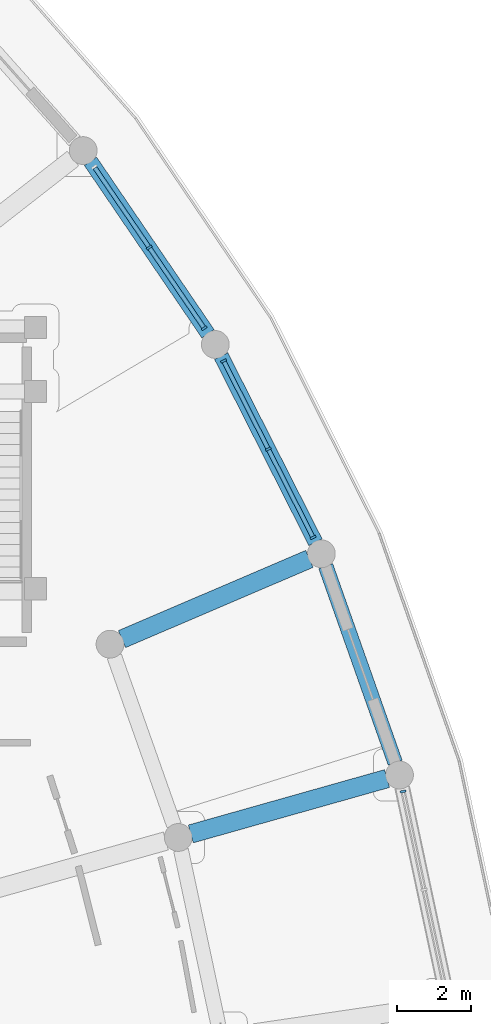
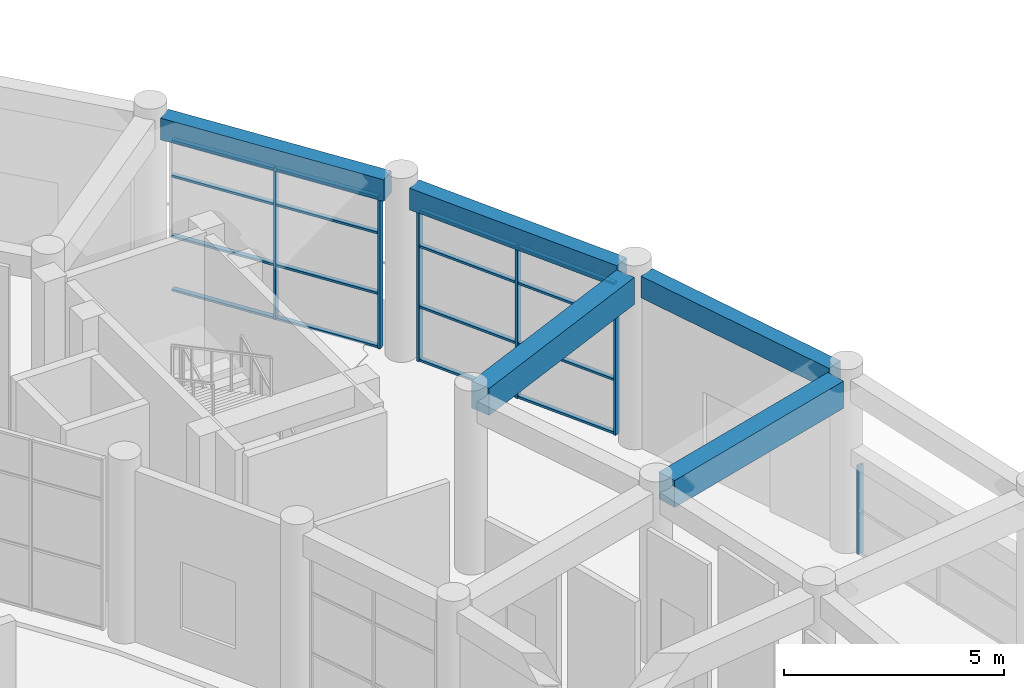
# One storey, part 49 of 99: 22 members, 5 beams, 3 elements without a shape of their own.
"""IFC4 building model written with IfcOpenShell, lengths in metres."""

from ifc_helpers import new_model, si_unit, direction, frame, origin, origin_2d, place, context, subcontext, project, spatial, rectangle, extrude, material, material_profile, profile_set, type_object, element, aggregate, save


model = new_model("IFC4")

# Units and contexts
model_context = context("Model", 3, precision=1e-05, world=origin(), true_north=direction((0.0, 1.0)))
body_context = subcontext(model_context, "Body", "Model", "MODEL_VIEW")
ifc_project = project(units=[si_unit("LENGTHUNIT", "METRE"), si_unit("AREAUNIT", "SQUARE_METRE"), si_unit("VOLUMEUNIT", "CUBIC_METRE"), si_unit("PLANEANGLEUNIT", "RADIAN"), si_unit("MASSUNIT", "GRAM", prefix="KILO")], contexts=[model_context])

# Site, building, storey
site_placement = place(None, origin())
site = spatial("IfcSite", under=ifc_project, at=site_placement, CompositionType="ELEMENT")
building_placement = place(site_placement, origin())
building = spatial("IfcBuilding", under=site, at=building_placement, Name="Saryqyr Civic Hall", CompositionType="ELEMENT")
storey_placement = place(building_placement, origin())
storey = spatial("IfcBuildingStorey", under=building, at=storey_placement, Name="L00", CompositionType="ELEMENT", Elevation=0.0)

# Curtain wall, member
ifc_material_1 = material(Name="Anodised aluminium and triple low-E glass", Category="aluminium")
curtain_wall_type_1 = type_object("IfcCurtainWallType", Name="ENV-CW-STD-38", PredefinedType="NOTDEFINED", material=ifc_material_1)
curtain_wall_1_placement = place(storey_placement, origin())
curtain_wall_1 = element("IfcCurtainWall", 1, at=curtain_wall_1_placement, inside=storey, type_object=curtain_wall_type_1, Name="Curtain wall V6-CWO-L00-01", PredefinedType="NOTDEFINED")
ifc_material_2 = material(Name="Anodised aluminium", Category="aluminium")
ifc_material_profile_1 = material_profile(ifc_material_2, rectangle(XDim=0.06005859375, YDim=0.159912109375, at=origin_2d()), Name="ALU MULLION 60x160")
ifc_profile_set_1 = profile_set([ifc_material_profile_1], Name="Anodised aluminium")
member_type_1 = type_object("IfcMemberType", Name="ENV-CW-MUL-180", PredefinedType="MULLION", material=ifc_profile_set_1)
member_1_placement = place(storey_placement, frame((104.2529296875, 96.864501953125, 0.0), z_axis=(0.0, 0.0, 1.0), x_axis=(0.208915877242, -0.977933615455, 0.0)))
member_1 = element("IfcMember", 2, at=member_1_placement, type_object=member_type_1, Name="CW-38 mullion 1", PredefinedType="MULLION", context=body_context, shape_type="SweptSolid", body=[
    extrude(rectangle(XDim=0.06005859375, YDim=0.159912109375, at=origin_2d()), origin(), (0.0, 0.0, 1.0), 2.449951171875),
])
aggregate(curtain_wall_1, [member_1])

# Curtain wall, members
curtain_wall_type_2 = type_object("IfcCurtainWallType", Name="ENV-CW-STD-35", PredefinedType="NOTDEFINED", material=ifc_material_1)
curtain_wall_2_placement = place(storey_placement, origin())
curtain_wall_2 = element("IfcCurtainWall", 3, at=curtain_wall_2_placement, inside=storey, type_object=curtain_wall_type_2, Name="Curtain wall V6-CWO-L00-03", PredefinedType="NOTDEFINED")
member_2_placement = place(storey_placement, frame((99.4130859375, 108.479248046875, 0.0), z_axis=(0.0, 0.0, 1.0), x_axis=(0.451942386625, -0.892047128335, 0.0)))
member_2 = element("IfcMember", 4, at=member_2_placement, type_object=member_type_1, Name="CW-35 mullion 1", PredefinedType="MULLION", context=body_context, shape_type="SweptSolid", body=[
    extrude(rectangle(XDim=0.06005859375, YDim=0.159912109375, at=origin_2d()), origin(), (0.0, 0.0, 1.0), 4.195068359375),
])
member_3_placement = place(storey_placement, frame((100.619384765625, 106.09814453125, 0.0), z_axis=(0.0, 0.0, 1.0), x_axis=(0.451942386625, -0.892047128335, 0.0)))
member_3 = element("IfcMember", 5, at=member_3_placement, type_object=member_type_1, Name="CW-35 mullion 2", PredefinedType="MULLION", context=body_context, shape_type="SweptSolid", body=[
    extrude(rectangle(XDim=0.06005859375, YDim=0.159912109375, at=origin_2d()), origin(), (0.0, 0.0, 1.0), 4.195068359375),
])
member_4_placement = place(storey_placement, frame((101.82568359375, 103.71728515625, 0.0), z_axis=(0.0, 0.0, 1.0), x_axis=(0.451942386625, -0.892047128335, 0.0)))
member_4 = element("IfcMember", 6, at=member_4_placement, type_object=member_type_1, Name="CW-35 mullion 3", PredefinedType="MULLION", context=body_context, shape_type="SweptSolid", body=[
    extrude(rectangle(XDim=0.06005859375, YDim=0.159912109375, at=origin_2d()), origin(), (0.0, 0.0, 1.0), 4.195068359375),
])

curtain_wall_type_3 = type_object("IfcCurtainWallType", Name="ENV-CW-STD-42", PredefinedType="NOTDEFINED", material=ifc_material_1)
curtain_wall_3_placement = place(storey_placement, origin())
curtain_wall_3 = element("IfcCurtainWall", 7, at=curtain_wall_3_placement, inside=storey, type_object=curtain_wall_type_3, Name="Curtain wall V6-CWO-L00-04", PredefinedType="NOTDEFINED")
member_5_placement = place(storey_placement, frame((97.407470703125, 111.53564453125, 0.0), z_axis=(0.0, 0.0, 1.0), x_axis=(0.563119415089, -0.826375534699, 0.0)))
member_5 = element("IfcMember", 8, at=member_5_placement, type_object=member_type_1, Name="CW-42 mullion 2", PredefinedType="MULLION", context=body_context, shape_type="SweptSolid", body=[
    extrude(rectangle(XDim=0.06005859375, YDim=0.159912109375, at=origin_2d()), origin(), (0.0, 0.0, 1.0), 4.195068359375),
])
member_6_placement = place(storey_placement, frame((98.8896484375, 109.360595703125, 0.0), z_axis=(0.0, 0.0, 1.0), x_axis=(0.563119415089, -0.826375534699, 0.0)))
member_6 = element("IfcMember", 9, at=member_6_placement, type_object=member_type_1, Name="CW-42 mullion 3", PredefinedType="MULLION", context=body_context, shape_type="SweptSolid", body=[
    extrude(rectangle(XDim=0.06005859375, YDim=0.159912109375, at=origin_2d()), origin(), (0.0, 0.0, 1.0), 4.195068359375),
])

# Member
ifc_material_profile_2 = material_profile(ifc_material_2, rectangle(XDim=0.1201171875, YDim=0.06005859375, at=origin_2d()), Name="ALU TRANSOM 120x60")
ifc_profile_set_2 = profile_set([ifc_material_profile_2], Name="Anodised aluminium")
member_type_2 = type_object("IfcMemberType", Name="ENV-CW-TRN-150", PredefinedType="USERDEFINED", material=ifc_profile_set_2)
member_7_placement = place(storey_placement, frame((99.4267578125, 108.452392578125, 0.030029296875), z_axis=(0.451960822028, -0.892037788074, 0.0), x_axis=(0.892037788074, 0.451960822028, 0.0)))
member_7 = element("IfcMember", 10, at=member_7_placement, type_object=member_type_2, Name="CW-35 transom 1.1", ObjectType="TRANSOM", PredefinedType="USERDEFINED", context=body_context, shape_type="SweptSolid", body=[
    extrude(rectangle(XDim=0.1201171875, YDim=0.06005859375, at=origin_2d()), origin(), (0.0, 0.0, 1.0), 2.609130859375),
])

member_8_placement = place(storey_placement, frame((99.4267578125, 108.452392578125, 1.510009765625), z_axis=(0.451960822028, -0.892037788074, 0.0), x_axis=(0.892037788074, 0.451960822028, 0.0)))
member_8 = element("IfcMember", 11, at=member_8_placement, type_object=member_type_2, Name="CW-35 transom 1.2", ObjectType="TRANSOM", PredefinedType="USERDEFINED", context=body_context, shape_type="SweptSolid", body=[
    extrude(rectangle(XDim=0.1201171875, YDim=0.06005859375, at=origin_2d()), origin(), (0.0, 0.0, 1.0), 2.609130859375),
])

member_9_placement = place(storey_placement, frame((99.4267578125, 108.452392578125, 3.18798828125), z_axis=(0.451960822028, -0.892037788074, 0.0), x_axis=(0.892037788074, 0.451960822028, 0.0)))
member_9 = element("IfcMember", 12, at=member_9_placement, type_object=member_type_2, Name="CW-35 transom 1.3", ObjectType="TRANSOM", PredefinedType="USERDEFINED", context=body_context, shape_type="SweptSolid", body=[
    extrude(rectangle(XDim=0.1201171875, YDim=0.06005859375, at=origin_2d()), origin(), (0.0, 0.0, 1.0), 2.609130859375),
])

member_10_placement = place(storey_placement, frame((99.4267578125, 108.452392578125, 4.1650390625), z_axis=(0.451960822028, -0.892037788074, 0.0), x_axis=(0.892037788074, 0.451960822028, 0.0)))
member_10 = element("IfcMember", 13, at=member_10_placement, type_object=member_type_2, Name="CW-35 transom 1.4", ObjectType="TRANSOM", PredefinedType="USERDEFINED", context=body_context, shape_type="SweptSolid", body=[
    extrude(rectangle(XDim=0.1201171875, YDim=0.06005859375, at=origin_2d()), origin(), (0.0, 0.0, 1.0), 2.609130859375),
])

member_11_placement = place(storey_placement, frame((100.633056640625, 106.071533203125, 0.030029296875), z_axis=(0.451886357797, -0.892075512296, 0.0), x_axis=(0.892075512296, 0.451886357797, 0.0)))
member_11 = element("IfcMember", 14, at=member_11_placement, type_object=member_type_2, Name="CW-35 transom 2.1", ObjectType="TRANSOM", PredefinedType="USERDEFINED", context=body_context, shape_type="SweptSolid", body=[
    extrude(rectangle(XDim=0.1201171875, YDim=0.06005859375, at=origin_2d()), origin(), (0.0, 0.0, 1.0), 2.60888671875),
])

member_12_placement = place(storey_placement, frame((100.633056640625, 106.071533203125, 1.510009765625), z_axis=(0.451886357797, -0.892075512296, 0.0), x_axis=(0.892075512296, 0.451886357797, 0.0)))
member_12 = element("IfcMember", 15, at=member_12_placement, type_object=member_type_2, Name="CW-35 transom 2.2", ObjectType="TRANSOM", PredefinedType="USERDEFINED", context=body_context, shape_type="SweptSolid", body=[
    extrude(rectangle(XDim=0.1201171875, YDim=0.06005859375, at=origin_2d()), origin(), (0.0, 0.0, 1.0), 2.60888671875),
])

member_13_placement = place(storey_placement, frame((100.633056640625, 106.071533203125, 3.18798828125), z_axis=(0.451886357797, -0.892075512296, 0.0), x_axis=(0.892075512296, 0.451886357797, 0.0)))
member_13 = element("IfcMember", 16, at=member_13_placement, type_object=member_type_2, Name="CW-35 transom 2.3", ObjectType="TRANSOM", PredefinedType="USERDEFINED", context=body_context, shape_type="SweptSolid", body=[
    extrude(rectangle(XDim=0.1201171875, YDim=0.06005859375, at=origin_2d()), origin(), (0.0, 0.0, 1.0), 2.60888671875),
])

member_14_placement = place(storey_placement, frame((100.633056640625, 106.071533203125, 4.1650390625), z_axis=(0.451886357797, -0.892075512296, 0.0), x_axis=(0.892075512296, 0.451886357797, 0.0)))
member_14 = element("IfcMember", 17, at=member_14_placement, type_object=member_type_2, Name="CW-35 transom 2.4", ObjectType="TRANSOM", PredefinedType="USERDEFINED", context=body_context, shape_type="SweptSolid", body=[
    extrude(rectangle(XDim=0.1201171875, YDim=0.06005859375, at=origin_2d()), origin(), (0.0, 0.0, 1.0), 2.60888671875),
])

aggregate(curtain_wall_2, [member_2, member_3, member_4, member_7, member_8, member_9, member_10, member_11, member_12, member_13, member_14])

member_15_placement = place(storey_placement, frame((95.9423828125, 113.68603515625, 0.030029296875), z_axis=(0.563083491541, -0.826400013041, 0.0), x_axis=(0.826400013041, 0.563083491541, 0.0)))
member_15 = element("IfcMember", 18, at=member_15_placement, type_object=member_type_2, Name="CW-42 transom 1.1", ObjectType="TRANSOM", PredefinedType="USERDEFINED", context=body_context, shape_type="SweptSolid", body=[
    extrude(rectangle(XDim=0.1201171875, YDim=0.06005859375, at=origin_2d()), origin(), (0.0, 0.0, 1.0), 2.572021484375),
])

member_16_placement = place(storey_placement, frame((95.9423828125, 113.68603515625, 1.510009765625), z_axis=(0.563083491541, -0.826400013041, 0.0), x_axis=(0.826400013041, 0.563083491541, 0.0)))
member_16 = element("IfcMember", 19, at=member_16_placement, type_object=member_type_2, Name="CW-42 transom 1.2", ObjectType="TRANSOM", PredefinedType="USERDEFINED", context=body_context, shape_type="SweptSolid", body=[
    extrude(rectangle(XDim=0.1201171875, YDim=0.06005859375, at=origin_2d()), origin(), (0.0, 0.0, 1.0), 2.572021484375),
])

member_17_placement = place(storey_placement, frame((95.9423828125, 113.68603515625, 3.18798828125), z_axis=(0.563083491541, -0.826400013041, 0.0), x_axis=(0.826400013041, 0.563083491541, 0.0)))
member_17 = element("IfcMember", 20, at=member_17_placement, type_object=member_type_2, Name="CW-42 transom 1.3", ObjectType="TRANSOM", PredefinedType="USERDEFINED", context=body_context, shape_type="SweptSolid", body=[
    extrude(rectangle(XDim=0.1201171875, YDim=0.06005859375, at=origin_2d()), origin(), (0.0, 0.0, 1.0), 2.572021484375),
])

member_18_placement = place(storey_placement, frame((95.9423828125, 113.68603515625, 4.1650390625), z_axis=(0.563083491541, -0.826400013041, 0.0), x_axis=(0.826400013041, 0.563083491541, 0.0)))
member_18 = element("IfcMember", 21, at=member_18_placement, type_object=member_type_2, Name="CW-42 transom 1.4", ObjectType="TRANSOM", PredefinedType="USERDEFINED", context=body_context, shape_type="SweptSolid", body=[
    extrude(rectangle(XDim=0.1201171875, YDim=0.06005859375, at=origin_2d()), origin(), (0.0, 0.0, 1.0), 2.572021484375),
])

member_19_placement = place(storey_placement, frame((97.424560546875, 111.510986328125, 0.030029296875), z_axis=(0.563083491541, -0.826400013041, 0.0), x_axis=(0.826400013041, 0.563083491541, 0.0)))
member_19 = element("IfcMember", 22, at=member_19_placement, type_object=member_type_2, Name="CW-42 transom 2.1", ObjectType="TRANSOM", PredefinedType="USERDEFINED", context=body_context, shape_type="SweptSolid", body=[
    extrude(rectangle(XDim=0.1201171875, YDim=0.06005859375, at=origin_2d()), origin(), (0.0, 0.0, 1.0), 2.572021484375),
])

member_20_placement = place(storey_placement, frame((97.424560546875, 111.510986328125, 1.510009765625), z_axis=(0.563083491541, -0.826400013041, 0.0), x_axis=(0.826400013041, 0.563083491541, 0.0)))
member_20 = element("IfcMember", 23, at=member_20_placement, type_object=member_type_2, Name="CW-42 transom 2.2", ObjectType="TRANSOM", PredefinedType="USERDEFINED", context=body_context, shape_type="SweptSolid", body=[
    extrude(rectangle(XDim=0.1201171875, YDim=0.06005859375, at=origin_2d()), origin(), (0.0, 0.0, 1.0), 2.572021484375),
])

member_21_placement = place(storey_placement, frame((97.424560546875, 111.510986328125, 3.18798828125), z_axis=(0.563083491541, -0.826400013041, 0.0), x_axis=(0.826400013041, 0.563083491541, 0.0)))
member_21 = element("IfcMember", 24, at=member_21_placement, type_object=member_type_2, Name="CW-42 transom 2.3", ObjectType="TRANSOM", PredefinedType="USERDEFINED", context=body_context, shape_type="SweptSolid", body=[
    extrude(rectangle(XDim=0.1201171875, YDim=0.06005859375, at=origin_2d()), origin(), (0.0, 0.0, 1.0), 2.572021484375),
])

member_22_placement = place(storey_placement, frame((97.424560546875, 111.510986328125, 4.1650390625), z_axis=(0.563083491541, -0.826400013041, 0.0), x_axis=(0.826400013041, 0.563083491541, 0.0)))
member_22 = element("IfcMember", 25, at=member_22_placement, type_object=member_type_2, Name="CW-42 transom 2.4", ObjectType="TRANSOM", PredefinedType="USERDEFINED", context=body_context, shape_type="SweptSolid", body=[
    extrude(rectangle(XDim=0.1201171875, YDim=0.06005859375, at=origin_2d()), origin(), (0.0, 0.0, 1.0), 2.572021484375),
])

aggregate(curtain_wall_3, [member_5, member_6, member_15, member_16, member_17, member_18, member_19, member_20, member_21, member_22])

# Beams
ifc_material_3 = material(Name="Concrete C35/45", Category="concrete")
ifc_material_profile_3 = material_profile(ifc_material_3, rectangle(XDim=0.39990234375, YDim=0.60009765625, at=origin_2d()), Name="RC 400x600")
ifc_profile_set_3 = profile_set([ifc_material_profile_3], Name="Concrete C35/45")
beam_type_1 = type_object("IfcBeamType", Name="STR-BM-RC400x600-EXT", PredefinedType="BEAM", material=ifc_profile_set_3)
beam_1_placement = place(storey_placement, frame((104.04150390625, 97.638916015625, 4.52001953125), z_axis=(-0.333223962687, 0.942847702808, 0.0), x_axis=(-0.942847702808, -0.333223962687, 0.0)))
element("IfcBeam", 26, at=beam_1_placement, inside=storey, type_object=beam_type_1, Name="Beam V6-CBM-OUT02-L00", PredefinedType="BEAM", context=body_context, shape_type="SweptSolid", body=[
    extrude(rectangle(XDim=0.39990234375, YDim=0.60009765625, at=origin_2d()), origin(), (0.0, 0.0, 1.0), 5.62841796875),
])
beam_2_placement = place(storey_placement, frame((101.89111328125, 103.587890625, 4.52001953125), z_axis=(-0.45190956529, 0.892063756017, 0.0), x_axis=(-0.892063756017, -0.45190956529, 0.0)))
element("IfcBeam", 27, at=beam_2_placement, inside=storey, type_object=beam_type_1, Name="Beam V6-CBM-OUT03-L00", PredefinedType="BEAM", context=body_context, shape_type="SweptSolid", body=[
    extrude(rectangle(XDim=0.39990234375, YDim=0.60009765625, at=origin_2d()), origin(), (0.0, 0.0, 1.0), 5.628173828125),
])
beam_3_placement = place(storey_placement, frame((98.9921875, 109.210205078125, 4.52001953125), z_axis=(-0.56312010385, 0.826375065355, 0.0), x_axis=(-0.826375065355, -0.56312010385, 0.0)))
element("IfcBeam", 28, at=beam_3_placement, inside=storey, type_object=beam_type_1, Name="Beam V6-CBM-OUT04-L00", PredefinedType="BEAM", context=body_context, shape_type="SweptSolid", body=[
    extrude(rectangle(XDim=0.39990234375, YDim=0.60009765625, at=origin_2d()), origin(), (0.0, 0.0, 1.0), 5.62841796875),
])
ifc_material_4 = material(Name="Concrete C40/50", Category="concrete")
ifc_material_profile_4 = material_profile(ifc_material_4, rectangle(XDim=0.5, YDim=0.75, at=origin_2d()), Name="RC 500x750")
ifc_profile_set_4 = profile_set([ifc_material_profile_4], Name="Concrete C40/50")
beam_type_2 = type_object("IfcBeamType", Name="STR-BM-RC500x750", PredefinedType="BEAM", material=ifc_profile_set_4)
beam_4_placement = place(storey_placement, frame((98.52783203125, 95.719970703125, 4.445068359375), z_axis=(0.962419934058, 0.271565591577, 0.0), x_axis=(-0.271565591577, 0.962419934058, 0.0)))
element("IfcBeam", 29, at=beam_4_placement, inside=storey, type_object=beam_type_2, Name="Beam V6-RBM-B02-L00", PredefinedType="BEAM", context=body_context, shape_type="SweptSolid", body=[
    extrude(rectangle(XDim=0.5, YDim=0.75, at=origin_2d()), origin(), (0.0, 0.0, 1.0), 5.500244140625),
])
beam_5_placement = place(storey_placement, frame((96.671142578125, 100.974365234375, 4.445068359375), z_axis=(0.919372187096, 0.393388842743, 0.0), x_axis=(-0.393388842743, 0.919372187096, 0.0)))
element("IfcBeam", 30, at=beam_5_placement, inside=storey, type_object=beam_type_2, Name="Beam V6-RBM-B03-L00", PredefinedType="BEAM", context=body_context, shape_type="SweptSolid", body=[
    extrude(rectangle(XDim=0.5, YDim=0.75, at=origin_2d()), origin(), (0.0, 0.0, 1.0), 5.499755859375),
])

save(model, "model.ifc")
